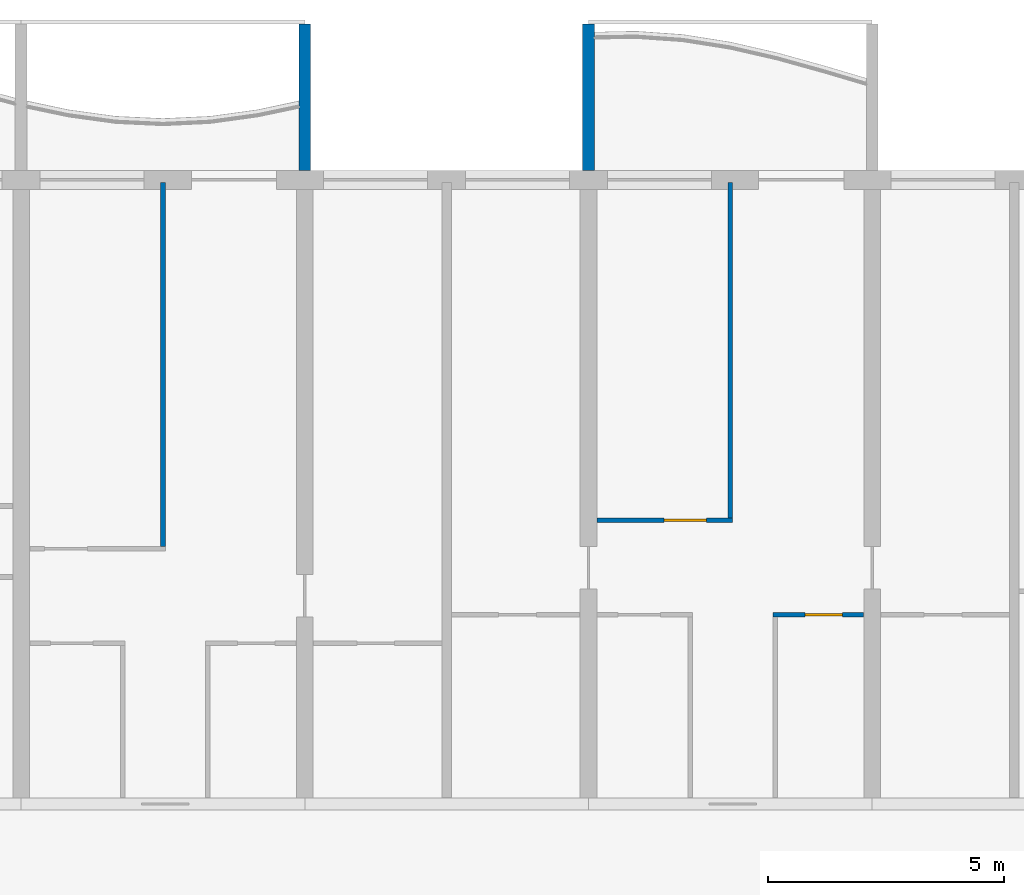
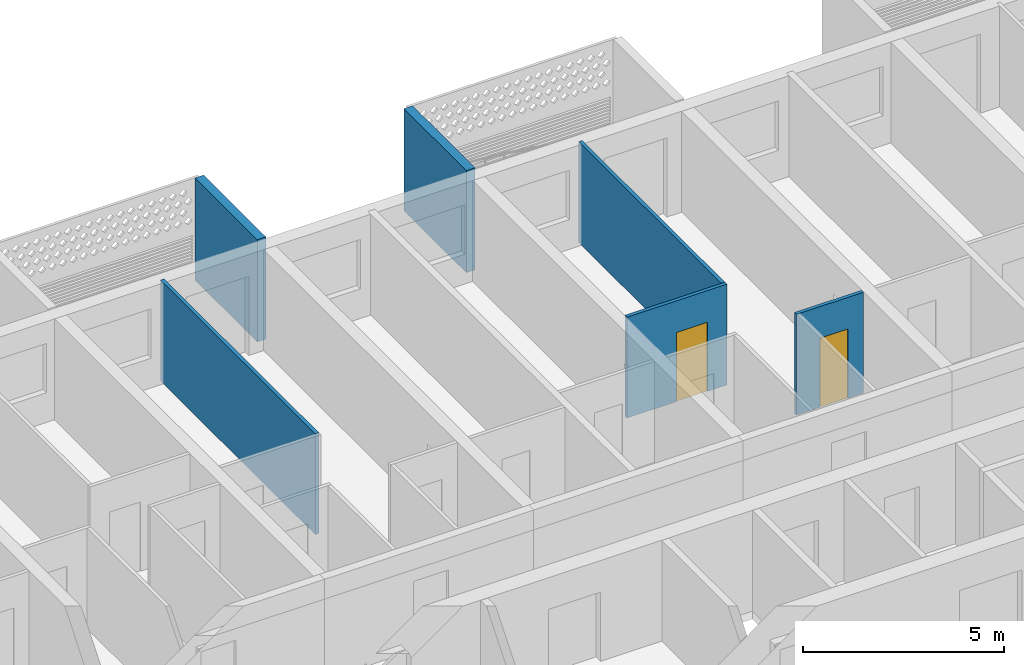
# One storey, part 11 of 31: 6 walls, 2 doors, 2 openings.
"""IFC4 building model written with IfcOpenShell, lengths in metres."""

from ifc_helpers import new_model, si_unit, direction, frame, frame_2d, origin, place, context, subcontext, project, spatial, polyline, rectangle, outline, extrude, source, transform, mapped, material, layer, layer_set, type_object, element, fill, save


model = new_model("IFC4")

# Units and contexts
model_context = context("Model", 3, precision=1e-05, world=origin(), true_north=direction((0.0, 1.0)))
body_context = subcontext(model_context, "Body", "Model", "MODEL_VIEW")
ifc_project = project(units=[si_unit("LENGTHUNIT", "METRE"), si_unit("AREAUNIT", "SQUARE_METRE"), si_unit("VOLUMEUNIT", "CUBIC_METRE"), si_unit("PLANEANGLEUNIT", "RADIAN"), si_unit("MASSUNIT", "GRAM", prefix="KILO")], contexts=[model_context])

# Site, building, storey
site_placement = place(None, origin())
site = spatial("IfcSite", under=ifc_project, at=site_placement, CompositionType="ELEMENT")
building_placement = place(site_placement, origin())
building = spatial("IfcBuilding", under=site, at=building_placement, Name="Poui Terraces", CompositionType="ELEMENT")
storey_placement = place(building_placement, frame((0.0, 0.0, 82.800048828125)))
storey = spatial("IfcBuildingStorey", under=building, at=storey_placement, Name="L22", CompositionType="ELEMENT", Elevation=82.800048828125)

# Wall, opening, door
ifc_material_1 = material(Name="Plasterboard partition")
ifc_layer_1 = layer(ifc_material_1, 0.10009765625)
ifc_layer_set_1 = layer_set([ifc_layer_1], Name="Plasterboard partition")
wall_type_1 = type_object("IfcWallType", Name="FLAT PARTITION 100", PredefinedType="PARTITIONING", material=ifc_layer_set_1)
wall_1_placement = place(storey_placement, frame((51.89990234375, 34.39990234375, 0.0), z_axis=(0.0, 0.0, 1.0), x_axis=(1.0, 0.0, 0.0)))
wall_1 = element("IfcWall", 1, at=wall_1_placement, inside=storey, type_object=wall_type_1, Name="FLAT PARTITION 100", PredefinedType="PARTITIONING", context=body_context, shape_type="SweptSolid", body=[
    extrude(rectangle(XDim=1.9150390625, YDim=0.10009765625, at=frame_2d((0.95751953125, 0.0))), origin(), (0.0, 0.0, 1.0), 3.06005859375),
])
opening_1_placement = place(wall_1_placement, frame((0.675048828125, 0.0, 0.0)))
opening_1 = element("IfcOpeningElement", 2, at=opening_1_placement, cuts=wall_1, Name="Opening D80", PredefinedType="OPENING", context=body_context, shape_type="SweptSolid", body=[
    extrude(rectangle(XDim=0.800048828125, YDim=2.10009765625, at=frame_2d((0.39990234375, 1.050048828125))), frame((0.0, 0.06005859375, 0.0), z_axis=(0.0, -1.0, 0.0), x_axis=(1.0, 0.0, 0.0)), (0.0, 0.0, 1.0), 0.1201171875),
])
ifc_material_2 = material(Name="Solid core timber door", Category="wood")
door_type_1 = type_object("IfcDoorType", Name="BATHROOM, LAUNDRY AND STORE DOOR 800 X 2100", OperationType="NOTDEFINED", PredefinedType="DOOR", material=ifc_material_2)
door_1_placement = place(opening_1_placement, frame((0.800048828125, 0.0, 0.0), z_axis=(0.0, 0.0, 1.0), x_axis=(-1.0, 0.0, 0.0)))
door_1 = element("IfcDoor", 3, at=door_1_placement, inside=storey, type_object=door_type_1, Name="BATHROOM, LAUNDRY AND STORE DOOR 059", OperationType="SINGLE_SWING_RIGHT", OverallHeight=2.10009765625, OverallWidth=0.800048828125, PredefinedType="DOOR", context=body_context, shape_type="SweptSolid", body=[
    extrude(rectangle(XDim=0.800048828125, YDim=2.10009765625, at=frame_2d((0.39990234375, 1.050048828125))), frame((0.0, 0.02490234375, 0.0), z_axis=(0.0, -1.0, 0.0), x_axis=(1.0, 0.0, 0.0)), (0.0, 0.0, 1.0), 0.050048828125),
])
fill(opening_1, door_1)

wall_2_placement = place(storey_placement, frame((48.18505859375, 36.39990234375, 0.0), z_axis=(0.0, 0.0, 1.0), x_axis=(1.0, 0.0, 0.0)))
wall_2 = element("IfcWall", 4, at=wall_2_placement, inside=storey, type_object=wall_type_1, Name="FLAT PARTITION 100", PredefinedType="PARTITIONING", context=body_context, shape_type="SweptSolid", body=[
    extrude(rectangle(XDim=2.864990234375, YDim=0.10009765625, at=frame_2d((1.4326171875, 0.0))), origin(), (0.0, 0.0, 1.0), 3.06005859375),
])
opening_2_placement = place(wall_2_placement, frame((1.4150390625, 0.0, 0.0)))
opening_2 = element("IfcOpeningElement", 5, at=opening_2_placement, cuts=wall_2, Name="Opening D90", PredefinedType="OPENING", context=body_context, shape_type="SweptSolid", body=[
    extrude(rectangle(XDim=0.89990234375, YDim=2.10009765625, at=frame_2d((0.449951171875, 1.050048828125))), frame((0.0, 0.06005859375, 0.0), z_axis=(0.0, -1.0, 0.0), x_axis=(1.0, 0.0, 0.0)), (0.0, 0.0, 1.0), 0.1201171875),
])
door_type_2 = type_object("IfcDoorType", Name="INTERNAL DOOR 900 X 2100", OperationType="NOTDEFINED", PredefinedType="DOOR", material=ifc_material_2)
door_2_placement = place(opening_2_placement, frame((0.89990234375, 0.0, 0.0), z_axis=(0.0, 0.0, 1.0), x_axis=(-1.0, 0.0, 0.0)))
door_2 = element("IfcDoor", 6, at=door_2_placement, inside=storey, type_object=door_type_2, Name="INTERNAL DOOR 057", OperationType="SINGLE_SWING_RIGHT", OverallHeight=2.10009765625, OverallWidth=0.89990234375, PredefinedType="DOOR", context=body_context, shape_type="SweptSolid", body=[
    extrude(rectangle(XDim=0.89990234375, YDim=2.10009765625, at=frame_2d((0.449951171875, 1.050048828125))), frame((0.0, 0.02490234375, 0.0), z_axis=(0.0, -1.0, 0.0), x_axis=(1.0, 0.0, 0.0)), (0.0, 0.0, 1.0), 0.050048828125),
])
fill(opening_2, door_2)

# Walls
wall_3_placement = place(storey_placement, frame((39.0, 35.85009765625, 0.0), z_axis=(0.0, 0.0, 1.0), x_axis=(0.0, 1.0, 0.0)))
element("IfcWall", 7, at=wall_3_placement, inside=storey, type_object=wall_type_1, Name="FLAT PARTITION 100", PredefinedType="PARTITIONING", context=body_context, shape_type="SweptSolid", body=[
    extrude(rectangle(XDim=7.68994140625, YDim=0.10009765625, at=frame_2d((3.844970703125, 0.0))), origin(), (0.0, 0.0, 1.0), 3.06005859375),
])
wall_4_placement = place(storey_placement, frame((51.0, 36.449951171875, 0.0), z_axis=(0.0, 0.0, 1.0), x_axis=(0.0, 1.0, 0.0)))
element("IfcWall", 8, at=wall_4_placement, inside=storey, type_object=wall_type_1, Name="FLAT PARTITION 100", PredefinedType="PARTITIONING", context=body_context, shape_type="SweptSolid", body=[
    extrude(rectangle(XDim=7.090087890625, YDim=0.10009765625, at=frame_2d((3.544921875, 0.0))), origin(), (0.0, 0.0, 1.0), 3.06005859375),
])
ifc_material_3 = material(Name="Precast concrete 40 MPa", Category="concrete")
ifc_layer_2 = layer(ifc_material_3, 0.25)
ifc_layer_set_2 = layer_set([ifc_layer_2], Name="Precast concrete 40 MPa")
wall_type_2 = type_object("IfcWallType", Name="BALCONY FIN 250", PredefinedType="STANDARD", material=ifc_layer_set_2)
shared_shape = source(origin(), body_context, "Body", "SweptSolid", [
    extrude(outline(polyline([(0.0, 0.0), (0.25, 0.0), (0.25, 3.099853515625), (0.0, 3.099853515625), (0.0, 0.0)])), origin(), (0.0, 0.0, 1.0), 3.099853515625),
])
for number, where, name in (
    (9, (41.875, 43.800048828125, 0.0), "BALCONY FIN"),
    (10, (47.875, 43.800048828125, 0.0), "BALCONY FIN"),
):
    element("IfcWall", number, at=place(storey_placement, frame(where)), inside=storey, type_object=wall_type_2, Name=name, PredefinedType="STANDARD", context=body_context, shape_type="MappedRepresentation", body=[
        mapped(shared_shape, transform((0.0, 0.0, 0.0))),
    ])

save(model, "model.ifc")
